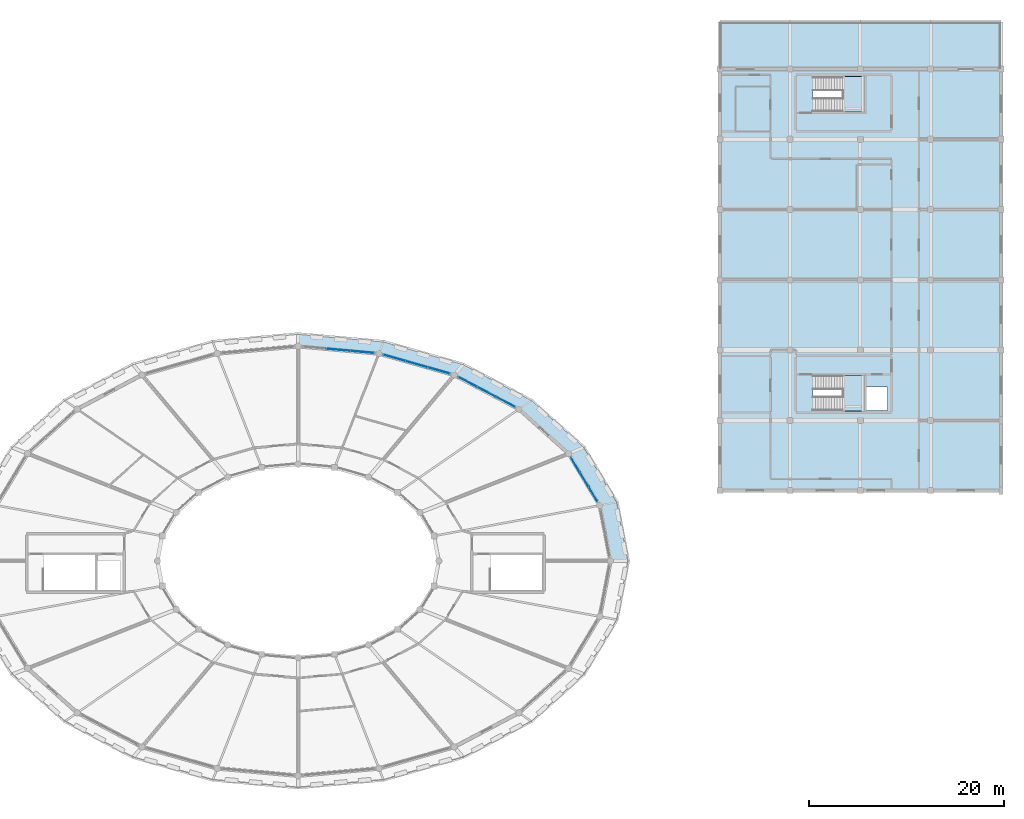
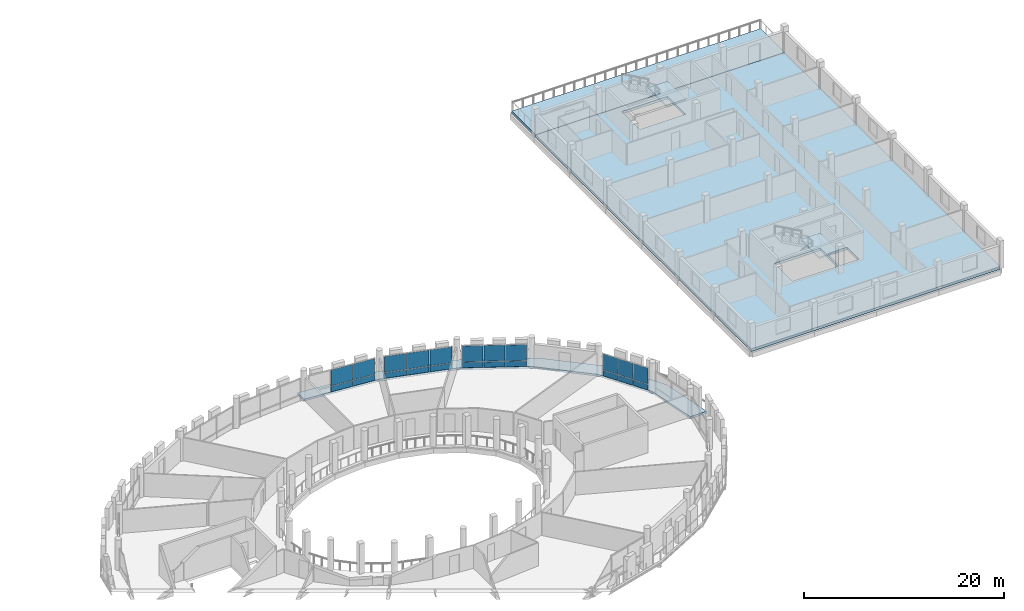
# One storey, part 64 of 84: 22 plates, 5 slabs, 6 elements without a shape of their own.
"""IFC4 building model written with IfcOpenShell, lengths in metres."""

import ifcopenshell
import ifcopenshell.guid

model = None  # the IFC model being written
_history = None  # IfcOwnerHistory: only IFC2X3 demands one
_inside = {}  # id of a spatial element -> (the spatial element, [elements in it])
_under = {}  # id of a project, library or spatial element -> (it, [spatial elements below it])
_declared = {}  # id of a project -> (the project, [libraries it declares])
_typed = {}  # id of a type object -> (the type object, [elements of that type])
_made_of = {}  # id of a material, layer set ... -> (it, [elements and type objects made of it])


def new_model(schema):
    """Start an empty IFC model of exactly this schema.

    Asked for "IFC4X3", IfcOpenShell would pick the latest addendum, in which some entities
    have other attributes; the version numbers below select the first issue.
    IFC2X3 requires an IfcOwnerHistory on every rooted entity: one is made here for all.
    """
    global model, _history
    if schema == "IFC4X3":
        model = ifcopenshell.file(schema_version=(4, 3, 0, 0))
    else:
        model = ifcopenshell.file(schema=schema)
    _inside.clear()
    _under.clear()
    _declared.clear()
    _typed.clear()
    _made_of.clear()
    _history = None
    if model.schema == "IFC2X3":
        org = make("IfcOrganization", Name="unknown")
        user = make(
            "IfcPersonAndOrganization",
            ThePerson=make("IfcPerson", FamilyName="unknown"),
            TheOrganization=org,
        )
        app = make(
            "IfcApplication",
            ApplicationDeveloper=org,
            Version="unknown",
            ApplicationFullName="unknown",
            ApplicationIdentifier="unknown",
        )
        _history = make(
            "IfcOwnerHistory",
            OwningUser=user,
            OwningApplication=app,
            ChangeAction="ADDED",
            CreationDate=0,
        )
    return model


def make(cls, **values):
    """One entity of the class cls with the attributes given. An attribute that is None is left unset."""
    return model.create_entity(
        cls, **{name: value for name, value in values.items() if value is not None}
    )


def rooted(cls, **values):
    """An entity with a GlobalId (a new one), such as an element, a storey or a relation."""
    return make(cls, GlobalId=ifcopenshell.guid.new(), OwnerHistory=_history, **values)


def si_unit(unit_type, name, prefix=None):
    """IfcSIUnit, for example si_unit("LENGTHUNIT", "METRE", prefix="MILLI")."""
    return make("IfcSIUnit", UnitType=unit_type, Prefix=prefix, Name=name)


def assignment(units):
    """IfcUnitAssignment: the units of a project."""
    return None if units is None else make("IfcUnitAssignment", Units=units)


def point(xyz):
    """IfcCartesianPoint."""
    return None if xyz is None else make("IfcCartesianPoint", Coordinates=xyz)


def direction(xyz):
    """IfcDirection."""
    return None if xyz is None else make("IfcDirection", DirectionRatios=xyz)


def frame(location, z_axis=None, x_axis=None):
    """IfcAxis2Placement3D, a coordinate frame: its origin and axes. An axis left out is left unset."""
    return make(
        "IfcAxis2Placement3D",
        Location=point(location),
        Axis=direction(z_axis),
        RefDirection=direction(x_axis),
    )


def frame_2d(location, x_axis=None):
    """IfcAxis2Placement2D, a coordinate frame in the plane: its origin and x axis."""
    return make(
        "IfcAxis2Placement2D", Location=point(location), RefDirection=direction(x_axis)
    )


def origin():
    """The frame at (0, 0, 0) with its axes left unset."""
    return frame((0.0, 0.0, 0.0))


def origin_2d():
    """The frame at (0, 0) in the plane with its x axis left unset."""
    return frame_2d((0.0, 0.0))


def place(relative_to, where):
    """IfcLocalPlacement: puts the frame where relative to a parent placement (None: the world)."""
    return make(
        "IfcLocalPlacement", PlacementRelTo=relative_to, RelativePlacement=where
    )


def context(
    kind, dimensions, precision=None, world=None, true_north=None, identifier=None
):
    """IfcGeometricRepresentationContext, for example the 3D "Model" context."""
    return make(
        "IfcGeometricRepresentationContext",
        ContextIdentifier=identifier,
        ContextType=kind,
        CoordinateSpaceDimension=dimensions,
        Precision=precision,
        WorldCoordinateSystem=world,
        TrueNorth=true_north,
    )


def subcontext(parent, identifier, kind, view, scale=None):
    """IfcGeometricRepresentationSubContext, for example "Body" below "Model"."""
    return make(
        "IfcGeometricRepresentationSubContext",
        ContextIdentifier=identifier,
        ContextType=kind,
        ParentContext=parent,
        TargetScale=scale,
        TargetView=view,
    )


def project(units=None, contexts=None):
    """IfcProject with its units and contexts."""
    return rooted(
        "IfcProject",
        Name="project",
        RepresentationContexts=contexts,
        UnitsInContext=assignment(units),
    )


def spatial(cls, under=None, at=None, **own):
    """A site, building, storey or space (cls), placed at a placement, below another one or the project."""
    s = rooted(cls, ObjectPlacement=at, **own)
    if under is not None:
        _under.setdefault(under.id(), (under, []))[1].append(s)
    return s


def polyline(points):
    """IfcPolyline through the points."""
    return make("IfcPolyline", Points=[point(p) for p in points])


def profile(cls, at=None, kind="AREA", **sizes):
    """A parametric profile (cls). Its sizes go by their IFC names, for example OverallWidth=200.0."""
    return make(cls, ProfileType=kind, Position=at, **sizes)


def rectangle(**sizes):
    """IfcRectangleProfileDef."""
    return profile("IfcRectangleProfileDef", **sizes)


def outline(outer, holes=None, kind="AREA"):
    """IfcArbitraryClosedProfileDef: a profile drawn as a closed curve; with holes, ...WithVoids."""
    if holes is None:
        return make("IfcArbitraryClosedProfileDef", ProfileType=kind, OuterCurve=outer)
    return make(
        "IfcArbitraryProfileDefWithVoids",
        ProfileType=kind,
        OuterCurve=outer,
        InnerCurves=holes,
    )


def extrude(swept, where, along, depth):
    """IfcExtrudedAreaSolid: the profile swept, set in the frame where, extruded along a direction by depth."""
    return make(
        "IfcExtrudedAreaSolid",
        SweptArea=swept,
        Position=where,
        ExtrudedDirection=direction(along),
        Depth=depth,
    )


def shape(context_of_items, identifier, shape_type, items):
    """IfcShapeRepresentation: the items that make up one representation, for example the "Body"."""
    return make(
        "IfcShapeRepresentation",
        ContextOfItems=context_of_items,
        RepresentationIdentifier=identifier,
        RepresentationType=shape_type,
        Items=items,
    )


def material(Name=None, Category=None):
    """IfcMaterial."""
    return make("IfcMaterial", Name=Name, Category=Category)


def layer(
    of_material, thickness, ventilated=None, Name=None, Category=None, Priority=None
):
    """IfcMaterialLayer: one layer of a wall or slab, of a material (None: an air gap)."""
    return make(
        "IfcMaterialLayer",
        Material=of_material,
        LayerThickness=thickness,
        IsVentilated=ventilated,
        Name=Name,
        Category=Category,
        Priority=Priority,
    )


def layer_set(layers, Name=None):
    """IfcMaterialLayerSet."""
    return make("IfcMaterialLayerSet", MaterialLayers=layers, LayerSetName=Name)


def made_of(thing, what):
    """Note that an element or type object is made of a material, layer set ...; save() writes the relation."""
    if what is not None:
        _made_of.setdefault(what.id(), (what, []))[1].append(thing)
    return thing


def type_object(cls, material=None, **own):
    """A type object (cls), such as IfcWallType, which elements share."""
    return made_of(rooted(cls, **own), material)


def element(
    cls,
    number,
    at=None,
    inside=None,
    cuts=None,
    type_object=None,
    material=None,
    context=None,
    identifier="Body",
    shape_type=None,
    held_by="IfcProductDefinitionShape",
    body=None,
    shapes=None,
    **own,
):
    """One element of the class cls, such as IfcWall. Its Tag is "e" and its number.

    at: its placement. inside: the storey or other place that contains it. cuts: it is an
    opening in that element (IfcRelVoidsElement). A single representation is given by context,
    identifier, shape_type and body (its items); several are given by shapes. held_by: the class
    of the entity that holds the representations. save() writes the other relations.
    """
    e = rooted(cls, Tag="e%d" % number, ObjectPlacement=at, **own)
    if body is not None:
        shapes = [shape(context, identifier, shape_type, body)]
    if shapes is not None:
        e.Representation = make(held_by, Representations=shapes)
    if inside is not None:
        _inside.setdefault(inside.id(), (inside, []))[1].append(e)
    if cuts is not None:
        rooted(
            "IfcRelVoidsElement", RelatingBuildingElement=cuts, RelatedOpeningElement=e
        )
    if type_object is not None:
        _typed.setdefault(type_object.id(), (type_object, []))[1].append(e)
    return made_of(e, material)


def aggregate(whole, parts):
    """IfcRelAggregates: a whole, such as a stair, and the parts it consists of."""
    return rooted("IfcRelAggregates", RelatingObject=whole, RelatedObjects=parts)


def save(model, path):
    """Write the relations noted so far, then the file.

    IfcRelAggregates (storeys below a building ...), IfcRelContainedInSpatialStructure (elements
    in a storey), IfcRelDefinesByType, IfcRelAssociatesMaterial and IfcRelDeclares: one each for
    every whole, place, type object, material and project.
    """
    for whole, parts in _under.values():
        aggregate(whole, parts)
    for where, things in _inside.values():
        rooted(
            "IfcRelContainedInSpatialStructure",
            RelatedElements=things,
            RelatingStructure=where,
        )
    for kind, things in _typed.values():
        rooted("IfcRelDefinesByType", RelatedObjects=things, RelatingType=kind)
    for what, things in _made_of.values():
        rooted("IfcRelAssociatesMaterial", RelatedObjects=things, RelatingMaterial=what)
    for by, libraries in _declared.values():
        rooted("IfcRelDeclares", RelatingContext=by, RelatedDefinitions=libraries)
    model.write(path)


model = new_model("IFC4")

# Units and contexts
model_context = context("Model", 3, precision=1e-05, world=origin(), true_north=direction((0.0, 1.0)))
body_context = subcontext(model_context, "Body", "Model", "MODEL_VIEW")
ifc_project = project(units=[si_unit("LENGTHUNIT", "METRE"), si_unit("AREAUNIT", "SQUARE_METRE"), si_unit("VOLUMEUNIT", "CUBIC_METRE"), si_unit("PLANEANGLEUNIT", "RADIAN"), si_unit("MASSUNIT", "GRAM", prefix="KILO")], contexts=[model_context])

# Site, building, storey
site_placement = place(None, origin())
site = spatial("IfcSite", under=ifc_project, at=site_placement, CompositionType="ELEMENT")
building_placement = place(site_placement, origin())
building = spatial("IfcBuilding", under=site, at=building_placement, Name="Zornivar Specialist Clinic", CompositionType="ELEMENT")
storey_placement = place(building_placement, frame((0.0, 0.0, 12.300048828125)))
storey = spatial("IfcBuildingStorey", under=building, at=storey_placement, Name="L03", CompositionType="ELEMENT", Elevation=12.300048828125)

# Curtain wall, plates
ifc_material_1 = material(Name="Aluminium and Low-E Glass Curtain Wall", Category="aluminium")
curtain_wall_type = type_object("IfcCurtainWallType", Name="CW-DRUM-FACET", PredefinedType="NOTDEFINED", material=ifc_material_1)
curtain_wall_1_placement = place(storey_placement, origin())
curtain_wall_1 = element("IfcCurtainWall", 1, at=curtain_wall_1_placement, inside=storey, type_object=curtain_wall_type, Name="cw:V1:L03:c03", PredefinedType="NOTDEFINED")
ifc_material_2 = material(Name="Insulated Bronze Spandrel Panel")
ifc_layer_1 = layer(ifc_material_2, 0.048095703125)
ifc_layer_set_1 = layer_set([ifc_layer_1], Name="Insulated Bronze Spandrel Panel")
plate_type_1 = type_object("IfcPlateType", Name="CWP-SPN-A", PredefinedType="CURTAIN_PANEL", material=ifc_layer_set_1)
plate_1_placement = place(storey_placement, frame((114.839111328125, 73.887939453125, 0.030517578125), z_axis=(0.0, 0.0, 1.0), x_axis=(-0.884383019078, 0.46676190458, 0.0)))
plate_1 = element("IfcPlate", 2, at=plate_1_placement, type_object=plate_type_1, Name="cw:V1:L03:c03:spn:0", PredefinedType="CURTAIN_PANEL", context=body_context, shape_type="SweptSolid", body=[
    extrude(rectangle(XDim=2.10791015625, YDim=0.048095703125, at=origin_2d()), origin(), (0.0, 0.0, 1.0), 0.6708984375),
])
plate_2_placement = place(storey_placement, frame((112.9130859375, 74.904052734375, 0.030517578125), z_axis=(0.0, 0.0, 1.0), x_axis=(-0.884383019078, 0.46676190458, 0.0)))
plate_2 = element("IfcPlate", 3, at=plate_2_placement, type_object=plate_type_1, Name="cw:V1:L03:c03:spn:1", PredefinedType="CURTAIN_PANEL", context=body_context, shape_type="SweptSolid", body=[
    extrude(rectangle(XDim=2.10791015625, YDim=0.048095703125, at=origin_2d()), origin(), (0.0, 0.0, 1.0), 0.6708984375),
])
plate_3_placement = place(storey_placement, frame((110.987060546875, 75.9208984375, 0.030517578125), z_axis=(0.0, 0.0, 1.0), x_axis=(-0.884383019078, 0.46676190458, 0.0)))
plate_3 = element("IfcPlate", 4, at=plate_3_placement, type_object=plate_type_1, Name="cw:V1:L03:c03:spn:2", PredefinedType="CURTAIN_PANEL", context=body_context, shape_type="SweptSolid", body=[
    extrude(rectangle(XDim=2.10791015625, YDim=0.048095703125, at=origin_2d()), origin(), (0.0, 0.0, 1.0), 0.6708984375),
])

curtain_wall_2_placement = place(storey_placement, origin())
curtain_wall_2 = element("IfcCurtainWall", 5, at=curtain_wall_2_placement, inside=storey, type_object=curtain_wall_type, Name="cw:V1:L03:c04", PredefinedType="NOTDEFINED")
ifc_material_3 = material(Name="Insulated Bronze Spandrel Panel")
ifc_layer_2 = layer(ifc_material_3, 0.048095703125)
ifc_layer_set_2 = layer_set([ifc_layer_2], Name="Insulated Bronze Spandrel Panel")
plate_type_2 = type_object("IfcPlateType", Name="CWP-SPN-B", PredefinedType="CURTAIN_PANEL", material=ifc_layer_set_2)
plate_4_placement = place(storey_placement, frame((108.006103515625, 77.10595703125, 0.030517578125), z_axis=(0.0, 0.0, 1.0), x_axis=(-0.961761244933, 0.273889225319, 0.0)))
plate_4 = element("IfcPlate", 6, at=plate_4_placement, type_object=plate_type_2, Name="cw:V1:L03:c04:spn:0", PredefinedType="CURTAIN_PANEL", context=body_context, shape_type="SweptSolid", body=[
    extrude(rectangle(XDim=2.284912109375, YDim=0.048095703125, at=origin_2d()), origin(), (0.0, 0.0, 1.0), 0.6708984375),
])
plate_5_placement = place(storey_placement, frame((105.740966796875, 77.7509765625, 0.030517578125), z_axis=(0.0, 0.0, 1.0), x_axis=(-0.961761244933, 0.273889225319, 0.0)))
plate_5 = element("IfcPlate", 7, at=plate_5_placement, type_object=plate_type_2, Name="cw:V1:L03:c04:spn:1", PredefinedType="CURTAIN_PANEL", context=body_context, shape_type="SweptSolid", body=[
    extrude(rectangle(XDim=2.284912109375, YDim=0.048095703125, at=origin_2d()), origin(), (0.0, 0.0, 1.0), 0.6708984375),
])
plate_6_placement = place(storey_placement, frame((103.47607421875, 78.39599609375, 0.030517578125), z_axis=(0.0, 0.0, 1.0), x_axis=(-0.961761244933, 0.273889225319, 0.0)))
plate_6 = element("IfcPlate", 8, at=plate_6_placement, type_object=plate_type_2, Name="cw:V1:L03:c04:spn:2", PredefinedType="CURTAIN_PANEL", context=body_context, shape_type="SweptSolid", body=[
    extrude(rectangle(XDim=2.284912109375, YDim=0.048095703125, at=origin_2d()), origin(), (0.0, 0.0, 1.0), 0.6708984375),
])

curtain_wall_3_placement = place(storey_placement, origin())
curtain_wall_3 = element("IfcCurtainWall", 9, at=curtain_wall_3_placement, inside=storey, type_object=curtain_wall_type, Name="cw:V1:L03:c05", PredefinedType="NOTDEFINED")
ifc_material_4 = material(Name="Insulated Bronze Spandrel Panel")
ifc_layer_3 = layer(ifc_material_4, 0.048095703125)
ifc_layer_set_3 = layer_set([ifc_layer_3], Name="Insulated Bronze Spandrel Panel")
plate_type_3 = type_object("IfcPlateType", Name="CWP-SPN-C", PredefinedType="CURTAIN_PANEL", material=ifc_layer_set_3)
plate_7_placement = place(storey_placement, frame((100.18310546875, 79.00390625, 0.030517578125), z_axis=(0.0, 0.0, 1.0), x_axis=(-0.995932792393, 0.09009923993, 0.0)))
plate_7 = element("IfcPlate", 10, at=plate_7_placement, type_object=plate_type_3, Name="cw:V1:L03:c05:spn:0", PredefinedType="CURTAIN_PANEL", context=body_context, shape_type="SweptSolid", body=[
    extrude(rectangle(XDim=2.382080078125, YDim=0.048095703125, at=origin_2d()), origin(), (0.0, 0.0, 1.0), 0.6708984375),
])
plate_8_placement = place(storey_placement, frame((97.740966796875, 79.22509765625, 0.030517578125), z_axis=(0.0, 0.0, 1.0), x_axis=(-0.995932792393, 0.09009923993, 0.0)))
plate_8 = element("IfcPlate", 11, at=plate_8_placement, type_object=plate_type_3, Name="cw:V1:L03:c05:spn:1", PredefinedType="CURTAIN_PANEL", context=body_context, shape_type="SweptSolid", body=[
    extrude(rectangle(XDim=2.382080078125, YDim=0.048095703125, at=origin_2d()), origin(), (0.0, 0.0, 1.0), 0.6708984375),
])

curtain_wall_4_placement = place(storey_placement, origin())
curtain_wall_4 = element("IfcCurtainWall", 12, at=curtain_wall_4_placement, inside=storey, type_object=curtain_wall_type, Name="cw:V1:L03:c01", PredefinedType="NOTDEFINED")
ifc_material_5 = material(Name="Insulated Bronze Spandrel Panel")
ifc_layer_4 = layer(ifc_material_5, 0.0458984375)
ifc_layer_set_4 = layer_set([ifc_layer_4], Name="Insulated Bronze Spandrel Panel")
plate_type_4 = type_object("IfcPlateType", Name="CWP-SPN-E", PredefinedType="CURTAIN_PANEL", material=ifc_layer_set_4)
plate_9_placement = place(storey_placement, frame((123.81201171875, 64.452880859375, 0.030517578125), z_axis=(0.0, 0.0, 1.0), x_axis=(-0.516127401954, 0.856511824175, 0.0)))
plate_9 = element("IfcPlate", 13, at=plate_9_placement, type_object=plate_type_4, Name="cw:V1:L03:c01:spn:0", PredefinedType="CURTAIN_PANEL", context=body_context, shape_type="SweptSolid", body=[
    extrude(rectangle(XDim=1.675048828125, YDim=0.0458984375, at=origin_2d()), origin(), (0.0, 0.0, 1.0), 0.6708984375),
])
plate_10_placement = place(storey_placement, frame((122.912109375, 65.947021484375, 0.030517578125), z_axis=(0.0, 0.0, 1.0), x_axis=(-0.516127401954, 0.856511824175, 0.0)))
plate_10 = element("IfcPlate", 14, at=plate_10_placement, type_object=plate_type_4, Name="cw:V1:L03:c01:spn:1", PredefinedType="CURTAIN_PANEL", context=body_context, shape_type="SweptSolid", body=[
    extrude(rectangle(XDim=1.675048828125, YDim=0.0458984375, at=origin_2d()), origin(), (0.0, 0.0, 1.0), 0.6708984375),
])
plate_11_placement = place(storey_placement, frame((122.010986328125, 67.44189453125, 0.030517578125), z_axis=(0.0, 0.0, 1.0), x_axis=(-0.516127401954, 0.856511824175, 0.0)))
plate_11 = element("IfcPlate", 15, at=plate_11_placement, type_object=plate_type_4, Name="cw:V1:L03:c01:spn:2", PredefinedType="CURTAIN_PANEL", context=body_context, shape_type="SweptSolid", body=[
    extrude(rectangle(XDim=1.675048828125, YDim=0.0458984375, at=origin_2d()), origin(), (0.0, 0.0, 1.0), 0.6708984375),
])
ifc_material_6 = material(Name="Triple Low-E Vision Glass", Category="glass")
ifc_layer_5 = layer(ifc_material_6, 0.035888671875)
ifc_layer_set_5 = layer_set([ifc_layer_5], Name="Triple Low-E Vision Glass")
plate_type_5 = type_object("IfcPlateType", Name="CWP-VIS-E", PredefinedType="CURTAIN_PANEL", material=ifc_layer_set_5)
plate_12_placement = place(storey_placement, frame((123.81201171875, 64.452880859375, 0.76611328125), z_axis=(0.0, 0.0, 1.0), x_axis=(-0.516127401954, 0.856511824175, 0.0)))
plate_12 = element("IfcPlate", 16, at=plate_12_placement, type_object=plate_type_5, Name="cw:V1:L03:c01:vis:0", PredefinedType="CURTAIN_PANEL", context=body_context, shape_type="SweptSolid", body=[
    extrude(rectangle(XDim=1.675048828125, YDim=0.035888671875, at=origin_2d()), origin(), (0.0, 0.0, 1.0), 1.944091796875),
])
plate_13_placement = place(storey_placement, frame((122.912109375, 65.947021484375, 0.76611328125), z_axis=(0.0, 0.0, 1.0), x_axis=(-0.516127401954, 0.856511824175, 0.0)))
plate_13 = element("IfcPlate", 17, at=plate_13_placement, type_object=plate_type_5, Name="cw:V1:L03:c01:vis:1", PredefinedType="CURTAIN_PANEL", context=body_context, shape_type="SweptSolid", body=[
    extrude(rectangle(XDim=1.675048828125, YDim=0.035888671875, at=origin_2d()), origin(), (0.0, 0.0, 1.0), 1.944091796875),
])
plate_14_placement = place(storey_placement, frame((122.010986328125, 67.44189453125, 0.76611328125), z_axis=(0.0, 0.0, 1.0), x_axis=(-0.516127401954, 0.856511824175, 0.0)))
plate_14 = element("IfcPlate", 18, at=plate_14_placement, type_object=plate_type_5, Name="cw:V1:L03:c01:vis:2", PredefinedType="CURTAIN_PANEL", context=body_context, shape_type="SweptSolid", body=[
    extrude(rectangle(XDim=1.675048828125, YDim=0.035888671875, at=origin_2d()), origin(), (0.0, 0.0, 1.0), 1.944091796875),
])
aggregate(curtain_wall_4, [plate_9, plate_12, plate_10, plate_13, plate_11, plate_14])

# Plate
ifc_material_7 = material(Name="Triple Low-E Vision Glass", Category="glass")
ifc_layer_6 = layer(ifc_material_7, 0.035888671875)
ifc_layer_set_6 = layer_set([ifc_layer_6], Name="Triple Low-E Vision Glass")
plate_type_6 = type_object("IfcPlateType", Name="CWP-VIS-G", PredefinedType="CURTAIN_PANEL", material=ifc_layer_set_6)
plate_15_placement = place(storey_placement, frame((114.839111328125, 73.887939453125, 0.76611328125), z_axis=(0.0, 0.0, 1.0), x_axis=(-0.884383019078, 0.46676190458, 0.0)))
plate_15 = element("IfcPlate", 19, at=plate_15_placement, type_object=plate_type_6, Name="cw:V1:L03:c03:vis:0", PredefinedType="CURTAIN_PANEL", context=body_context, shape_type="SweptSolid", body=[
    extrude(rectangle(XDim=2.10791015625, YDim=0.035888671875, at=origin_2d()), origin(), (0.0, 0.0, 1.0), 1.944091796875),
])

plate_16_placement = place(storey_placement, frame((112.9130859375, 74.904052734375, 0.76611328125), z_axis=(0.0, 0.0, 1.0), x_axis=(-0.884383019078, 0.46676190458, 0.0)))
plate_16 = element("IfcPlate", 20, at=plate_16_placement, type_object=plate_type_6, Name="cw:V1:L03:c03:vis:1", PredefinedType="CURTAIN_PANEL", context=body_context, shape_type="SweptSolid", body=[
    extrude(rectangle(XDim=2.10791015625, YDim=0.035888671875, at=origin_2d()), origin(), (0.0, 0.0, 1.0), 1.944091796875),
])

plate_17_placement = place(storey_placement, frame((110.987060546875, 75.9208984375, 0.76611328125), z_axis=(0.0, 0.0, 1.0), x_axis=(-0.884383019078, 0.46676190458, 0.0)))
plate_17 = element("IfcPlate", 21, at=plate_17_placement, type_object=plate_type_6, Name="cw:V1:L03:c03:vis:2", PredefinedType="CURTAIN_PANEL", context=body_context, shape_type="SweptSolid", body=[
    extrude(rectangle(XDim=2.10791015625, YDim=0.035888671875, at=origin_2d()), origin(), (0.0, 0.0, 1.0), 1.944091796875),
])

aggregate(curtain_wall_1, [plate_1, plate_15, plate_2, plate_16, plate_3, plate_17])

ifc_material_8 = material(Name="Triple Low-E Vision Glass", Category="glass")
ifc_layer_7 = layer(ifc_material_8, 0.033935546875)
ifc_layer_set_7 = layer_set([ifc_layer_7], Name="Triple Low-E Vision Glass")
plate_type_7 = type_object("IfcPlateType", Name="CWP-VIS-H", PredefinedType="CURTAIN_PANEL", material=ifc_layer_set_7)
plate_18_placement = place(storey_placement, frame((108.006103515625, 77.10595703125, 0.76611328125), z_axis=(0.0, 0.0, 1.0), x_axis=(-0.961761244933, 0.273889225319, 0.0)))
plate_18 = element("IfcPlate", 22, at=plate_18_placement, type_object=plate_type_7, Name="cw:V1:L03:c04:vis:0", PredefinedType="CURTAIN_PANEL", context=body_context, shape_type="SweptSolid", body=[
    extrude(rectangle(XDim=2.284912109375, YDim=0.033935546875, at=origin_2d()), origin(), (0.0, 0.0, 1.0), 1.944091796875),
])

plate_19_placement = place(storey_placement, frame((105.740966796875, 77.7509765625, 0.76611328125), z_axis=(0.0, 0.0, 1.0), x_axis=(-0.961761244933, 0.273889225319, 0.0)))
plate_19 = element("IfcPlate", 23, at=plate_19_placement, type_object=plate_type_7, Name="cw:V1:L03:c04:vis:1", PredefinedType="CURTAIN_PANEL", context=body_context, shape_type="SweptSolid", body=[
    extrude(rectangle(XDim=2.284912109375, YDim=0.033935546875, at=origin_2d()), origin(), (0.0, 0.0, 1.0), 1.944091796875),
])

plate_20_placement = place(storey_placement, frame((103.47607421875, 78.39599609375, 0.76611328125), z_axis=(0.0, 0.0, 1.0), x_axis=(-0.961761244933, 0.273889225319, 0.0)))
plate_20 = element("IfcPlate", 24, at=plate_20_placement, type_object=plate_type_7, Name="cw:V1:L03:c04:vis:2", PredefinedType="CURTAIN_PANEL", context=body_context, shape_type="SweptSolid", body=[
    extrude(rectangle(XDim=2.284912109375, YDim=0.033935546875, at=origin_2d()), origin(), (0.0, 0.0, 1.0), 1.944091796875),
])

aggregate(curtain_wall_2, [plate_4, plate_18, plate_5, plate_19, plate_6, plate_20])

ifc_material_9 = material(Name="Triple Low-E Vision Glass", Category="glass")
ifc_layer_8 = layer(ifc_material_9, 0.033935546875)
ifc_layer_set_8 = layer_set([ifc_layer_8], Name="Triple Low-E Vision Glass")
plate_type_8 = type_object("IfcPlateType", Name="CWP-VIS-J", PredefinedType="CURTAIN_PANEL", material=ifc_layer_set_8)
plate_21_placement = place(storey_placement, frame((100.18310546875, 79.00390625, 0.76611328125), z_axis=(0.0, 0.0, 1.0), x_axis=(-0.995932792393, 0.09009923993, 0.0)))
plate_21 = element("IfcPlate", 25, at=plate_21_placement, type_object=plate_type_8, Name="cw:V1:L03:c05:vis:0", PredefinedType="CURTAIN_PANEL", context=body_context, shape_type="SweptSolid", body=[
    extrude(rectangle(XDim=2.382080078125, YDim=0.033935546875, at=origin_2d()), origin(), (0.0, 0.0, 1.0), 1.944091796875),
])

plate_22_placement = place(storey_placement, frame((97.740966796875, 79.22509765625, 0.76611328125), z_axis=(0.0, 0.0, 1.0), x_axis=(-0.995932792393, 0.09009923993, 0.0)))
plate_22 = element("IfcPlate", 26, at=plate_22_placement, type_object=plate_type_8, Name="cw:V1:L03:c05:vis:1", PredefinedType="CURTAIN_PANEL", context=body_context, shape_type="SweptSolid", body=[
    extrude(rectangle(XDim=2.382080078125, YDim=0.033935546875, at=origin_2d()), origin(), (0.0, 0.0, 1.0), 1.944091796875),
])

aggregate(curtain_wall_3, [plate_7, plate_21, plate_8, plate_22])

# Slabs
ifc_material_10 = material(Name="Concrete C30/37", Category="concrete")
ifc_layer_9 = layer(ifc_material_10, 0.239990234375)
ifc_layer_set_9 = layer_set([ifc_layer_9], Name="Concrete C30/37")
slab_type_1 = type_object("IfcSlabType", Name="SLB-EXT-BALC-240", PredefinedType="FLOOR", material=ifc_layer_set_9)
slab_1_placement = place(storey_placement, frame((0.0, 0.0, -0.239990234375)))
element("IfcSlab", 27, at=slab_1_placement, inside=storey, type_object=slab_type_1, Name="slab:V1:L03:balc:q0", PredefinedType="FLOOR", context=body_context, shape_type="SweptSolid", body=[
    extrude(outline(polyline([(125.60009765625, 57.60009765625), (124.510009765625, 63.2939453125), (121.31298828125, 68.60009765625), (116.22705078125, 73.156005859375), (109.60009765625, 76.653076171875), (101.882080078125, 78.85009765625), (93.60009765625, 79.60009765625), (93.60009765625, 80.919921875), (102.37890625, 80.125), (110.56005859375, 77.7958984375), (117.5849609375, 74.090087890625), (122.97607421875, 69.260009765625), (126.364013671875, 63.635986328125), (127.52001953125, 57.60009765625), (125.60009765625, 57.60009765625)])), origin(), (0.0, 0.0, 1.0), 0.239990234375),
])
ifc_material_11 = material(Name="Concrete C30/37", Category="concrete")
ifc_layer_10 = layer(ifc_material_11, 0.320068359375)
ifc_layer_set_10 = layer_set([ifc_layer_10], Name="Concrete C30/37")
slab_type_2 = type_object("IfcSlabType", Name="SLB-EXT-TERR-320", PredefinedType="FLOOR", material=ifc_layer_set_10)
slab_2_placement = place(storey_placement, frame((0.0, 0.0, -0.320068359375)))
element("IfcSlab", 28, at=slab_2_placement, inside=storey, type_object=slab_type_2, Name="slab:V6:L03:terr:0", PredefinedType="FLOOR", context=body_context, shape_type="SweptSolid", body=[
    extrude(outline(polyline([(136.800048828125, 108.0), (165.60009765625, 108.0), (165.60009765625, 112.800048828125), (136.800048828125, 112.800048828125), (136.800048828125, 108.0)])), origin(), (0.0, 0.0, 1.0), 0.320068359375),
])
ifc_material_12 = material(Name="Concrete C30/37", Category="concrete")
ifc_layer_11 = layer(ifc_material_12, 0.320068359375)
ifc_layer_set_11 = layer_set([ifc_layer_11], Name="Concrete C30/37")
slab_type_3 = type_object("IfcSlabType", Name="SLB-FLR-LAB-320", PredefinedType="FLOOR", material=ifc_layer_set_11)
slab_3_placement = place(storey_placement, frame((0.0, 0.0, -0.320068359375)))
element("IfcSlab", 29, at=slab_3_placement, inside=storey, type_object=slab_type_3, Name="slab:V6:L03:main", PredefinedType="FLOOR", context=body_context, shape_type="SweptSolid", body=[
    extrude(outline(polyline([(136.800048828125, 64.800048828125), (165.60009765625, 64.800048828125), (165.60009765625, 108.0), (136.800048828125, 108.0), (136.800048828125, 64.800048828125)]), holes=[polyline([(146.320068359375, 73.0), (151.60009765625, 73.0), (151.60009765625, 76.60009765625), (146.320068359375, 76.60009765625), (146.320068359375, 73.0)]), polyline([(151.800048828125, 73.0), (154.0, 73.0), (154.0, 75.39990234375), (151.800048828125, 75.39990234375), (151.800048828125, 73.0)]), polyline([(146.320068359375, 103.60009765625), (151.60009765625, 103.60009765625), (151.60009765625, 107.199951171875), (146.320068359375, 107.199951171875), (146.320068359375, 103.60009765625)])]), origin(), (0.0, 0.0, 1.0), 0.320068359375),
])

# Stair, slab
ifc_material_13 = material(Name="Concrete C30/37", Category="concrete")
stair_type = type_object("IfcStairType", Name="STR-CORE-UPPER-3700", PredefinedType="HALF_TURN_STAIR", material=ifc_material_13)
stair_1_placement = place(storey_placement, origin())
stair_1 = element("IfcStair", 30, at=stair_1_placement, inside=storey, type_object=stair_type, Name="stair:C9:L03", PredefinedType="HALF_TURN_STAIR")
ifc_material_14 = material(Name="Concrete C30/37", Category="concrete")
ifc_layer_12 = layer(ifc_material_14, 0.179931640625)
ifc_layer_set_12 = layer_set([ifc_layer_12], Name="Concrete C30/37")
slab_type_4 = type_object("IfcSlabType", Name="SLB-LANDING-180", PredefinedType="LANDING", material=ifc_layer_set_12)
slab_4_placement = place(storey_placement, frame((0.0, 0.0, 1.669921875)))
slab_4 = element("IfcSlab", 31, at=slab_4_placement, type_object=slab_type_4, Name="stair:C9:L03:land", PredefinedType="LANDING", context=body_context, shape_type="SweptSolid", body=[
    extrude(outline(polyline([(149.360107421875, 72.97998046875), (151.6201171875, 72.97998046875), (151.6201171875, 76.6201171875), (149.360107421875, 76.6201171875), (149.360107421875, 72.97998046875)])), origin(), (0.0, 0.0, 1.0), 0.179931640625),
])
aggregate(stair_1, [slab_4])

stair_2_placement = place(storey_placement, origin())
stair_2 = element("IfcStair", 32, at=stair_2_placement, inside=storey, type_object=stair_type, Name="stair:C10:L03", PredefinedType="HALF_TURN_STAIR")
slab_5_placement = place(storey_placement, frame((0.0, 0.0, 1.669921875)))
slab_5 = element("IfcSlab", 33, at=slab_5_placement, type_object=slab_type_4, Name="stair:C10:L03:land", PredefinedType="LANDING", context=body_context, shape_type="SweptSolid", body=[
    extrude(outline(polyline([(149.360107421875, 103.580078125), (151.6201171875, 103.580078125), (151.6201171875, 107.219970703125), (149.360107421875, 107.219970703125), (149.360107421875, 103.580078125)])), origin(), (0.0, 0.0, 1.0), 0.179931640625),
])
aggregate(stair_2, [slab_5])

save(model, "model.ifc")
